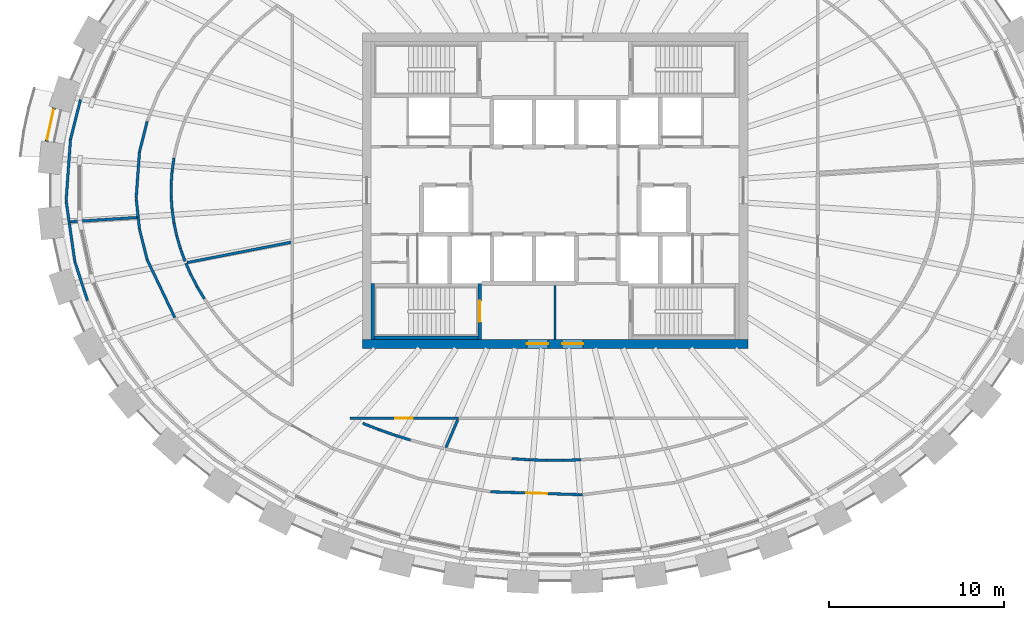
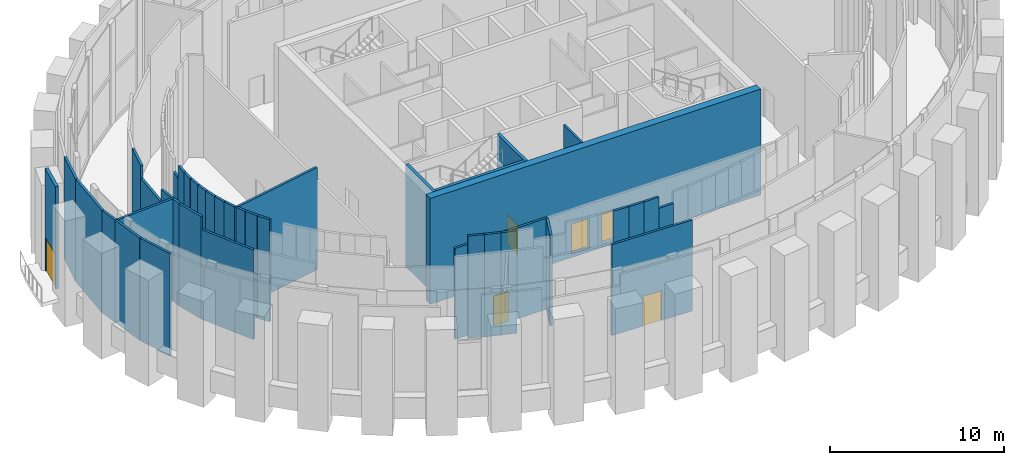
# One storey, part 8 of 16: 40 walls, 6 doors, 6 openings.
"""IFC4 building model written with IfcOpenShell, lengths in metres."""

import ifcopenshell
import ifcopenshell.guid

model = None  # the IFC model being written
_history = None  # IfcOwnerHistory: only IFC2X3 demands one
_inside = {}  # id of a spatial element -> (the spatial element, [elements in it])
_under = {}  # id of a project, library or spatial element -> (it, [spatial elements below it])
_declared = {}  # id of a project -> (the project, [libraries it declares])
_typed = {}  # id of a type object -> (the type object, [elements of that type])
_made_of = {}  # id of a material, layer set ... -> (it, [elements and type objects made of it])


def new_model(schema):
    """Start an empty IFC model of exactly this schema.

    Asked for "IFC4X3", IfcOpenShell would pick the latest addendum, in which some entities
    have other attributes; the version numbers below select the first issue.
    IFC2X3 requires an IfcOwnerHistory on every rooted entity: one is made here for all.
    """
    global model, _history
    if schema == "IFC4X3":
        model = ifcopenshell.file(schema_version=(4, 3, 0, 0))
    else:
        model = ifcopenshell.file(schema=schema)
    _inside.clear()
    _under.clear()
    _declared.clear()
    _typed.clear()
    _made_of.clear()
    _history = None
    if model.schema == "IFC2X3":
        org = make("IfcOrganization", Name="unknown")
        user = make(
            "IfcPersonAndOrganization",
            ThePerson=make("IfcPerson", FamilyName="unknown"),
            TheOrganization=org,
        )
        app = make(
            "IfcApplication",
            ApplicationDeveloper=org,
            Version="unknown",
            ApplicationFullName="unknown",
            ApplicationIdentifier="unknown",
        )
        _history = make(
            "IfcOwnerHistory",
            OwningUser=user,
            OwningApplication=app,
            ChangeAction="ADDED",
            CreationDate=0,
        )
    return model


def make(cls, **values):
    """One entity of the class cls with the attributes given. An attribute that is None is left unset."""
    return model.create_entity(
        cls, **{name: value for name, value in values.items() if value is not None}
    )


def rooted(cls, **values):
    """An entity with a GlobalId (a new one), such as an element, a storey or a relation."""
    return make(cls, GlobalId=ifcopenshell.guid.new(), OwnerHistory=_history, **values)


def si_unit(unit_type, name, prefix=None):
    """IfcSIUnit, for example si_unit("LENGTHUNIT", "METRE", prefix="MILLI")."""
    return make("IfcSIUnit", UnitType=unit_type, Prefix=prefix, Name=name)


def assignment(units):
    """IfcUnitAssignment: the units of a project."""
    return None if units is None else make("IfcUnitAssignment", Units=units)


def point(xyz):
    """IfcCartesianPoint."""
    return None if xyz is None else make("IfcCartesianPoint", Coordinates=xyz)


def direction(xyz):
    """IfcDirection."""
    return None if xyz is None else make("IfcDirection", DirectionRatios=xyz)


def frame(location, z_axis=None, x_axis=None):
    """IfcAxis2Placement3D, a coordinate frame: its origin and axes. An axis left out is left unset."""
    return make(
        "IfcAxis2Placement3D",
        Location=point(location),
        Axis=direction(z_axis),
        RefDirection=direction(x_axis),
    )


def frame_2d(location, x_axis=None):
    """IfcAxis2Placement2D, a coordinate frame in the plane: its origin and x axis."""
    return make(
        "IfcAxis2Placement2D", Location=point(location), RefDirection=direction(x_axis)
    )


def origin():
    """The frame at (0, 0, 0) with its axes left unset."""
    return frame((0.0, 0.0, 0.0))


def place(relative_to, where):
    """IfcLocalPlacement: puts the frame where relative to a parent placement (None: the world)."""
    return make(
        "IfcLocalPlacement", PlacementRelTo=relative_to, RelativePlacement=where
    )


def context(
    kind, dimensions, precision=None, world=None, true_north=None, identifier=None
):
    """IfcGeometricRepresentationContext, for example the 3D "Model" context."""
    return make(
        "IfcGeometricRepresentationContext",
        ContextIdentifier=identifier,
        ContextType=kind,
        CoordinateSpaceDimension=dimensions,
        Precision=precision,
        WorldCoordinateSystem=world,
        TrueNorth=true_north,
    )


def subcontext(parent, identifier, kind, view, scale=None):
    """IfcGeometricRepresentationSubContext, for example "Body" below "Model"."""
    return make(
        "IfcGeometricRepresentationSubContext",
        ContextIdentifier=identifier,
        ContextType=kind,
        ParentContext=parent,
        TargetScale=scale,
        TargetView=view,
    )


def project(units=None, contexts=None):
    """IfcProject with its units and contexts."""
    return rooted(
        "IfcProject",
        Name="project",
        RepresentationContexts=contexts,
        UnitsInContext=assignment(units),
    )


def spatial(cls, under=None, at=None, **own):
    """A site, building, storey or space (cls), placed at a placement, below another one or the project."""
    s = rooted(cls, ObjectPlacement=at, **own)
    if under is not None:
        _under.setdefault(under.id(), (under, []))[1].append(s)
    return s


def profile(cls, at=None, kind="AREA", **sizes):
    """A parametric profile (cls). Its sizes go by their IFC names, for example OverallWidth=200.0."""
    return make(cls, ProfileType=kind, Position=at, **sizes)


def rectangle(**sizes):
    """IfcRectangleProfileDef."""
    return profile("IfcRectangleProfileDef", **sizes)


def extrude(swept, where, along, depth):
    """IfcExtrudedAreaSolid: the profile swept, set in the frame where, extruded along a direction by depth."""
    return make(
        "IfcExtrudedAreaSolid",
        SweptArea=swept,
        Position=where,
        ExtrudedDirection=direction(along),
        Depth=depth,
    )


def shape(context_of_items, identifier, shape_type, items):
    """IfcShapeRepresentation: the items that make up one representation, for example the "Body"."""
    return make(
        "IfcShapeRepresentation",
        ContextOfItems=context_of_items,
        RepresentationIdentifier=identifier,
        RepresentationType=shape_type,
        Items=items,
    )


def source(mapping_origin, context_of_items, identifier, shape_type, items):
    """IfcRepresentationMap: a shape defined once, which mapped items show again and again."""
    return make(
        "IfcRepresentationMap",
        MappingOrigin=mapping_origin,
        MappedRepresentation=shape(context_of_items, identifier, shape_type, items),
    )


def transform(
    local_origin,
    x_axis=None,
    y_axis=None,
    z_axis=None,
    scale=None,
    scale2=None,
    scale3=None,
    uniform=True,
):
    """IfcCartesianTransformationOperator3D, or its non-uniform kind. x_axis, y_axis, z_axis: its Axis1, 2, 3."""
    if uniform:
        return make(
            "IfcCartesianTransformationOperator3D",
            Axis1=direction(x_axis),
            Axis2=direction(y_axis),
            LocalOrigin=point(local_origin),
            Scale=scale,
            Axis3=direction(z_axis),
        )
    return make(
        "IfcCartesianTransformationOperator3DnonUniform",
        Axis1=direction(x_axis),
        Axis2=direction(y_axis),
        LocalOrigin=point(local_origin),
        Scale=scale,
        Axis3=direction(z_axis),
        Scale2=scale2,
        Scale3=scale3,
    )


def mapped(mapping_source, mapping_target):
    """IfcMappedItem: shows the shape of a source again, moved by a transform."""
    return make(
        "IfcMappedItem", MappingSource=mapping_source, MappingTarget=mapping_target
    )


def material(Name=None, Category=None):
    """IfcMaterial."""
    return make("IfcMaterial", Name=Name, Category=Category)


def layer(
    of_material, thickness, ventilated=None, Name=None, Category=None, Priority=None
):
    """IfcMaterialLayer: one layer of a wall or slab, of a material (None: an air gap)."""
    return make(
        "IfcMaterialLayer",
        Material=of_material,
        LayerThickness=thickness,
        IsVentilated=ventilated,
        Name=Name,
        Category=Category,
        Priority=Priority,
    )


def layer_set(layers, Name=None):
    """IfcMaterialLayerSet."""
    return make("IfcMaterialLayerSet", MaterialLayers=layers, LayerSetName=Name)


def made_of(thing, what):
    """Note that an element or type object is made of a material, layer set ...; save() writes the relation."""
    if what is not None:
        _made_of.setdefault(what.id(), (what, []))[1].append(thing)
    return thing


def type_object(cls, material=None, **own):
    """A type object (cls), such as IfcWallType, which elements share."""
    return made_of(rooted(cls, **own), material)


def element(
    cls,
    number,
    at=None,
    inside=None,
    cuts=None,
    type_object=None,
    material=None,
    context=None,
    identifier="Body",
    shape_type=None,
    held_by="IfcProductDefinitionShape",
    body=None,
    shapes=None,
    **own,
):
    """One element of the class cls, such as IfcWall. Its Tag is "e" and its number.

    at: its placement. inside: the storey or other place that contains it. cuts: it is an
    opening in that element (IfcRelVoidsElement). A single representation is given by context,
    identifier, shape_type and body (its items); several are given by shapes. held_by: the class
    of the entity that holds the representations. save() writes the other relations.
    """
    e = rooted(cls, Tag="e%d" % number, ObjectPlacement=at, **own)
    if body is not None:
        shapes = [shape(context, identifier, shape_type, body)]
    if shapes is not None:
        e.Representation = make(held_by, Representations=shapes)
    if inside is not None:
        _inside.setdefault(inside.id(), (inside, []))[1].append(e)
    if cuts is not None:
        rooted(
            "IfcRelVoidsElement", RelatingBuildingElement=cuts, RelatedOpeningElement=e
        )
    if type_object is not None:
        _typed.setdefault(type_object.id(), (type_object, []))[1].append(e)
    return made_of(e, material)


def fill(opening, filler):
    """IfcRelFillsElement: the door or window that sits in an opening."""
    return rooted(
        "IfcRelFillsElement",
        RelatingOpeningElement=opening,
        RelatedBuildingElement=filler,
    )


def aggregate(whole, parts):
    """IfcRelAggregates: a whole, such as a stair, and the parts it consists of."""
    return rooted("IfcRelAggregates", RelatingObject=whole, RelatedObjects=parts)


def save(model, path):
    """Write the relations noted so far, then the file.

    IfcRelAggregates (storeys below a building ...), IfcRelContainedInSpatialStructure (elements
    in a storey), IfcRelDefinesByType, IfcRelAssociatesMaterial and IfcRelDeclares: one each for
    every whole, place, type object, material and project.
    """
    for whole, parts in _under.values():
        aggregate(whole, parts)
    for where, things in _inside.values():
        rooted(
            "IfcRelContainedInSpatialStructure",
            RelatedElements=things,
            RelatingStructure=where,
        )
    for kind, things in _typed.values():
        rooted("IfcRelDefinesByType", RelatedObjects=things, RelatingType=kind)
    for what, things in _made_of.values():
        rooted("IfcRelAssociatesMaterial", RelatedObjects=things, RelatingMaterial=what)
    for by, libraries in _declared.values():
        rooted("IfcRelDeclares", RelatingContext=by, RelatedDefinitions=libraries)
    model.write(path)


model = new_model("IFC4")

# Units and contexts
model_context = context("Model", 3, precision=1e-05, world=origin(), true_north=direction((0.0, 1.0)))
body_context = subcontext(model_context, "Body", "Model", "MODEL_VIEW")
ifc_project = project(units=[si_unit("LENGTHUNIT", "METRE"), si_unit("AREAUNIT", "SQUARE_METRE"), si_unit("VOLUMEUNIT", "CUBIC_METRE"), si_unit("PLANEANGLEUNIT", "RADIAN"), si_unit("MASSUNIT", "GRAM", prefix="KILO")], contexts=[model_context])

# Site, building, storey
site_placement = place(None, origin())
site = spatial("IfcSite", under=ifc_project, at=site_placement, CompositionType="ELEMENT")
building_placement = place(site_placement, origin())
building = spatial("IfcBuilding", under=site, at=building_placement, Name="Embergate Tower", CompositionType="ELEMENT")
storey_placement = place(building_placement, frame((0.0, 0.0, 332.5)))
storey = spatial("IfcBuildingStorey", under=building, at=storey_placement, Name="L78", CompositionType="ELEMENT", Elevation=332.5)

# Wall, openings, doors
ifc_material_1 = material(Name="Concrete C50", Category="concrete")
ifc_layer_1 = layer(ifc_material_1, 0.5)
ifc_layer_set_1 = layer_set([ifc_layer_1], Name="Concrete C50")
wall_type_1 = type_object("IfcWallType", Name="Core outer wall C50 500", PredefinedType="SHEAR", material=ifc_layer_set_1)
shared_shape_1 = source(origin(), body_context, "Body", "SweptSolid", [
    extrude(rectangle(XDim=22.0, YDim=0.5, at=frame_2d((11.0, 0.0))), origin(), (0.0, 0.0, 1.0), 7.449951171875),
])
wall_1_placement = place(storey_placement, frame((-11.0, -8.75, -0.25), z_axis=(0.0, 0.0, 1.0), x_axis=(1.0, 0.0, 0.0)))
wall_1 = element("IfcWall", 1, at=wall_1_placement, inside=storey, type_object=wall_type_1, Name="CW-L78-S", PredefinedType="SHEAR", context=body_context, shape_type="MappedRepresentation", body=[
    mapped(shared_shape_1, transform((0.0, 0.0, 0.0))),
])
shared_shape_2 = source(origin(), body_context, "Body", "SweptSolid", [
    extrude(rectangle(XDim=1.199951171875, YDim=2.10009765625, at=frame_2d((0.60009765625, 1.050048828125))), frame((0.0, 0.260009765625, 0.0), z_axis=(0.0, -1.0, 0.0), x_axis=(1.0, 0.0, 0.0)), (0.0, 0.0, 1.0), 0.52001953125),
])
opening_1_placement = place(wall_1_placement, frame((9.39990234375, 0.0, 0.25)))
opening_1 = element("IfcOpeningElement", 2, at=opening_1_placement, cuts=wall_1, Name="Opening IF-1", PredefinedType="OPENING", context=body_context, shape_type="MappedRepresentation", body=[
    mapped(shared_shape_2, transform((0.0, 0.0, 0.0))),
])
opening_2_placement = place(wall_1_placement, frame((11.39990234375, 0.0, 0.25)))
opening_2 = element("IfcOpeningElement", 3, at=opening_2_placement, cuts=wall_1, Name="Opening IF-1", PredefinedType="OPENING", context=body_context, shape_type="MappedRepresentation", body=[
    mapped(shared_shape_2, transform((0.0, 0.0, 0.0))),
])
ifc_material_2 = material(Name="Escape fire door 1200")
door_type_1 = type_object("IfcDoorType", Name="Escape fire door 1200", OperationType="SINGLE_SWING_LEFT", PredefinedType="DOOR", material=ifc_material_2)
shared_shape_3 = source(origin(), body_context, "Body", "SweptSolid", [
    extrude(rectangle(XDim=1.199951171875, YDim=2.10009765625, at=frame_2d((0.60009765625, 1.050048828125))), frame((0.0, 0.02490234375, 0.0), z_axis=(0.0, -1.0, 0.0), x_axis=(1.0, 0.0, 0.0)), (0.0, 0.0, 1.0), 0.050048828125),
])
door_1_placement = place(opening_1_placement, origin())
door_1 = element("IfcDoor", 4, at=door_1_placement, inside=storey, type_object=door_type_1, Name="IF-1 door", OperationType="SINGLE_SWING_RIGHT", OverallHeight=2.10009765625, OverallWidth=1.199951171875, PredefinedType="DOOR", context=body_context, shape_type="MappedRepresentation", body=[
    mapped(shared_shape_3, transform((0.0, 0.0, 0.0))),
])
fill(opening_1, door_1)
door_2_placement = place(opening_2_placement, origin())
door_2 = element("IfcDoor", 5, at=door_2_placement, inside=storey, type_object=door_type_1, Name="IF-1 door", OperationType="SINGLE_SWING_LEFT", OverallHeight=2.10009765625, OverallWidth=1.199951171875, PredefinedType="DOOR", context=body_context, shape_type="MappedRepresentation", body=[
    mapped(shared_shape_3, transform((0.0, 0.0, 0.0))),
])
fill(opening_2, door_2)

# Wall
ifc_layer_2 = layer(ifc_material_1, 0.199951171875)
ifc_layer_set_2 = layer_set([ifc_layer_2], Name="Concrete C50")
wall_type_2 = type_object("IfcWallType", Name="Stair enclosure wall reinforced concrete 250", PredefinedType="SHEAR", material=ifc_layer_set_2)
shared_shape_4 = source(origin(), body_context, "Body", "SweptSolid", [
    extrude(rectangle(XDim=6.298095703125, YDim=0.199951171875, at=frame_2d((3.14892578125, 0.0))), origin(), (0.0, 0.0, 1.0), 7.199951171875),
])
wall_2_placement = place(storey_placement, frame((-10.5, -8.39990234375, 0.0), z_axis=(0.0, 0.0, 1.0), x_axis=(1.0, 0.0, 0.0)))
element("IfcWall", 6, at=wall_2_placement, inside=storey, type_object=wall_type_2, Name="SE-1 wall", PredefinedType="SHEAR", context=body_context, shape_type="MappedRepresentation", body=[
    mapped(shared_shape_4, transform((0.0, 0.0, 0.0))),
])

# Wall, opening, door
shared_shape_5 = source(origin(), body_context, "Body", "SweptSolid", [
    extrude(rectangle(XDim=3.199951171875, YDim=0.199951171875, at=frame_2d((1.60009765625, 0.0))), origin(), (0.0, 0.0, 1.0), 7.199951171875),
])
wall_3_placement = place(storey_placement, frame((-4.300048828125, -8.5, 0.0), z_axis=(0.0, 0.0, 1.0), x_axis=(0.0, 1.0, 0.0)))
wall_3 = element("IfcWall", 7, at=wall_3_placement, inside=storey, type_object=wall_type_2, Name="SE-1 wall", PredefinedType="SHEAR", context=body_context, shape_type="MappedRepresentation", body=[
    mapped(shared_shape_5, transform((0.0, 0.0, 0.0))),
])
shared_shape_6 = source(origin(), body_context, "Body", "SweptSolid", [
    extrude(rectangle(XDim=1.199951171875, YDim=2.10009765625, at=frame_2d((0.60009765625, 1.050048828125))), frame((0.0, 0.10986328125, 0.0), z_axis=(0.0, -1.0, 0.0), x_axis=(1.0, 0.0, 0.0)), (0.0, 0.0, 1.0), 0.219970703125),
])
opening_3_placement = place(wall_3_placement, frame((1.0, 0.0, 0.0)))
opening_3 = element("IfcOpeningElement", 8, at=opening_3_placement, cuts=wall_3, Name="Opening IF-2", PredefinedType="OPENING", context=body_context, shape_type="MappedRepresentation", body=[
    mapped(shared_shape_6, transform((0.0, 0.0, 0.0))),
])
ifc_material_3 = material(Name="Stair enclosure door 1200")
door_type_2 = type_object("IfcDoorType", Name="Stair enclosure door 1200", OperationType="SINGLE_SWING_LEFT", PredefinedType="DOOR", material=ifc_material_3)
door_3_placement = place(opening_3_placement, origin())
door_3 = element("IfcDoor", 9, at=door_3_placement, inside=storey, type_object=door_type_2, Name="IF-2 door", OperationType="SINGLE_SWING_RIGHT", OverallHeight=2.10009765625, OverallWidth=1.199951171875, PredefinedType="DOOR", context=body_context, shape_type="MappedRepresentation", body=[
    mapped(shared_shape_3, transform((0.0, 0.0, 0.0))),
])
fill(opening_3, door_3)

# Walls
ifc_material_4 = material(Name="Core partition blockwork 120")
ifc_layer_3 = layer(ifc_material_4, 0.1201171875)
ifc_layer_set_3 = layer_set([ifc_layer_3], Name="Core partition blockwork 120")
wall_type_3 = type_object("IfcWallType", Name="Core partition blockwork 120", PredefinedType="PARTITIONING", material=ifc_layer_set_3)
shared_shape_7 = source(origin(), body_context, "Body", "SweptSolid", [
    extrude(rectangle(XDim=3.074951171875, YDim=0.1201171875, at=frame_2d((1.53759765625, 0.0))), origin(), (0.0, 0.0, 1.0), 6.39990234375),
])
wall_4_placement = place(storey_placement, frame((0.0, -8.5, 0.0), z_axis=(0.0, 0.0, 1.0), x_axis=(0.0, 1.0, 0.0)))
element("IfcWall", 10, at=wall_4_placement, inside=storey, type_object=wall_type_3, Name="IP-3 wall", PredefinedType="PARTITIONING", context=body_context, shape_type="MappedRepresentation", body=[
    mapped(shared_shape_7, transform((0.0, 0.0, 0.0))),
])
shared_shape_8 = source(origin(), body_context, "Body", "SweptSolid", [
    extrude(rectangle(XDim=3.197998046875, YDim=0.199951171875, at=frame_2d((1.59912109375, 0.0))), origin(), (0.0, 0.0, 1.0), 7.199951171875),
])
wall_5_placement = place(storey_placement, frame((-10.39990234375, -5.302001953125, 0.0), z_axis=(0.0, 0.0, 1.0), x_axis=(0.0, -1.0, 0.0)))
element("IfcWall", 11, at=wall_5_placement, inside=storey, type_object=wall_type_2, Name="SE-1 wall", PredefinedType="SHEAR", context=body_context, shape_type="MappedRepresentation", body=[
    mapped(shared_shape_8, transform((0.0, 0.0, 0.0))),
])
ifc_material_5 = material(Name="Plasterboard on steel stud", Category="steel")
ifc_layer_4 = layer(ifc_material_5, 0.14990234375)
ifc_layer_set_4 = layer_set([ifc_layer_4], Name="Plasterboard on steel stud")
wall_type_4 = type_object("IfcWallType", Name="Partition wall 150 board", PredefinedType="PARTITIONING", material=ifc_layer_set_4)
shared_shape_9 = source(origin(), body_context, "Body", "SweptSolid", [
    extrude(rectangle(XDim=3.500732421875, YDim=0.14990234375, at=frame_2d((1.75048828125, 0.0))), origin(), (0.0, 0.0, 1.0), 7.199951171875),
])
wall_6_placement = place(storey_placement, frame((-27.89990234375, -0.5849609375, 0.0), z_axis=(0.0, 0.0, 1.0), x_axis=(0.07113306104, 0.997466835352, 0.0)))
element("IfcWall", 12, at=wall_6_placement, inside=storey, type_object=wall_type_4, Name="Partition 001", PredefinedType="PARTITIONING", context=body_context, shape_type="MappedRepresentation", body=[
    mapped(shared_shape_9, transform((0.0, 0.0, 0.0))),
])
shared_shape_10 = source(origin(), body_context, "Body", "SweptSolid", [
    extrude(rectangle(XDim=1.21533203125, YDim=0.14990234375, at=frame_2d((0.607666015625, 0.0))), origin(), (0.0, 0.0, 1.0), 7.199951171875),
])
wall_7_placement = place(storey_placement, frame((-27.72802734375, -1.7880859375, 0.0), z_axis=(0.0, 0.0, 1.0), x_axis=(-0.141421356237, 0.989949493661, 0.0)))
element("IfcWall", 13, at=wall_7_placement, inside=storey, type_object=wall_type_4, Name="Partition 002", PredefinedType="PARTITIONING", context=body_context, shape_type="MappedRepresentation", body=[
    mapped(shared_shape_10, transform((0.0, 0.0, 0.0))),
])
shared_shape_11 = source(origin(), body_context, "Body", "SweptSolid", [
    extrude(rectangle(XDim=2.34912109375, YDim=0.14990234375, at=frame_2d((1.174560546875, 0.0))), origin(), (0.0, 0.0, 1.0), 7.199951171875),
])
wall_8_placement = place(storey_placement, frame((-27.65087890625, 2.906982421875, 0.0), z_axis=(0.0, 0.0, 1.0), x_axis=(0.243929291286, 0.969793019594, 0.0)))
element("IfcWall", 14, at=wall_8_placement, inside=storey, type_object=wall_type_4, Name="Partition 003", PredefinedType="PARTITIONING", context=body_context, shape_type="MappedRepresentation", body=[
    mapped(shared_shape_11, transform((0.0, 0.0, 0.0))),
])
shared_shape_12 = source(origin(), body_context, "Body", "SweptSolid", [
    extrude(rectangle(XDim=2.286865234375, YDim=0.14990234375, at=frame_2d((1.1435546875, 0.0))), origin(), (0.0, 0.0, 1.0), 7.199951171875),
])
wall_9_placement = place(storey_placement, frame((-27.405029296875, -4.052001953125, 0.0), z_axis=(0.0, 0.0, 1.0), x_axis=(-0.141241998997, 0.989975099545, 0.0)))
element("IfcWall", 15, at=wall_9_placement, inside=storey, type_object=wall_type_4, Name="Partition 004", PredefinedType="PARTITIONING", context=body_context, shape_type="MappedRepresentation", body=[
    mapped(shared_shape_12, transform((0.0, 0.0, 0.0))),
])
shared_shape_13 = source(origin(), body_context, "Body", "SweptSolid", [
    extrude(rectangle(XDim=2.33984375, YDim=0.14990234375, at=frame_2d((1.169921875, 0.0))), origin(), (0.0, 0.0, 1.0), 7.199951171875),
])
wall_10_placement = place(storey_placement, frame((-26.680908203125, -6.277099609375, 0.0), z_axis=(0.0, 0.0, 1.0), x_axis=(-0.309458801417, 0.950912851015, 0.0)))
element("IfcWall", 16, at=wall_10_placement, inside=storey, type_object=wall_type_4, Name="Partition 006", PredefinedType="PARTITIONING", context=body_context, shape_type="MappedRepresentation", body=[
    mapped(shared_shape_13, transform((0.0, 0.0, 0.0))),
])
shared_shape_14 = source(origin(), body_context, "Body", "SweptSolid", [
    extrude(rectangle(XDim=2.650390625, YDim=0.14990234375, at=frame_2d((1.3251953125, 0.0))), origin(), (0.0, 0.0, 1.0), 6.300048828125),
])
wall_11_placement = place(storey_placement, frame((-23.902099609375, -0.44189453125, 0.0), z_axis=(0.0, 0.0, 1.0), x_axis=(0.070926290583, 0.99748155938, 0.0)))
element("IfcWall", 17, at=wall_11_placement, inside=storey, type_object=wall_type_4, Name="Partition 011", PredefinedType="PARTITIONING", context=body_context, shape_type="MappedRepresentation", body=[
    mapped(shared_shape_14, transform((0.0, 0.0, 0.0))),
])
shared_shape_15 = source(origin(), body_context, "Body", "SweptSolid", [
    extrude(rectangle(XDim=3.80078125, YDim=0.14990234375, at=frame_2d((1.900390625, 0.0))), origin(), (0.0, 0.0, 1.0), 7.199951171875),
])
wall_12_placement = place(storey_placement, frame((-23.860107421875, -1.5390625, 0.0), z_axis=(0.0, 0.0, 1.0), x_axis=(-0.997938998458, -0.064169738637, 0.0)))
element("IfcWall", 18, at=wall_12_placement, inside=storey, type_object=wall_type_4, Name="Partition 012", PredefinedType="PARTITIONING", context=body_context, shape_type="MappedRepresentation", body=[
    mapped(shared_shape_15, transform((0.0, 0.0, 0.0))),
])
shared_shape_16 = source(origin(), body_context, "Body", "SweptSolid", [
    extrude(rectangle(XDim=1.098388671875, YDim=0.14990234375, at=frame_2d((0.54931640625, 0.0))), origin(), (0.0, 0.0, 1.0), 7.199951171875),
])
wall_13_placement = place(storey_placement, frame((-23.784912109375, -1.533935546875, 0.0), z_axis=(0.0, 0.0, 1.0), x_axis=(-0.106697945605, 0.994291480605, 0.0)))
element("IfcWall", 19, at=wall_13_placement, inside=storey, type_object=wall_type_4, Name="Partition 013", PredefinedType="PARTITIONING", context=body_context, shape_type="MappedRepresentation", body=[
    mapped(shared_shape_16, transform((0.0, 0.0, 0.0))),
])
shared_shape_17 = source(origin(), body_context, "Body", "SweptSolid", [
    extrude(rectangle(XDim=0.671630859375, YDim=0.14990234375, at=frame_2d((0.3359375, 0.0))), origin(), (0.0, 0.0, 1.0), 7.199951171875),
])
wall_14_placement = place(storey_placement, frame((-23.714111328125, -2.201904296875, 0.0), z_axis=(0.0, 0.0, 1.0), x_axis=(-0.105403713051, 0.994429513477, 0.0)))
element("IfcWall", 20, at=wall_14_placement, inside=storey, type_object=wall_type_4, Name="Partition 014", PredefinedType="PARTITIONING", context=body_context, shape_type="MappedRepresentation", body=[
    mapped(shared_shape_17, transform((0.0, 0.0, 0.0))),
])
shared_shape_18 = source(origin(), body_context, "Body", "SweptSolid", [
    extrude(rectangle(XDim=1.798583984375, YDim=0.14990234375, at=frame_2d((0.8994140625, 0.0))), origin(), (0.0, 0.0, 1.0), 7.199951171875),
])
for number, where, z_axis, x_axis, name in (
    (21, (-23.714111328125, 2.201904296875, 0.0), (0.0, 0.0, 1.0), (0.244196087284, 0.969725874129, 0.0), "Partition 015"),
    (22, (-23.27490234375, -3.946044921875, 0.0), (0.0, 0.0, 1.0), (-0.244196087284, 0.969725874129, 0.0), "Partition 017"),
):
    element("IfcWall", number, at=place(storey_placement, frame(where, z_axis=z_axis, x_axis=x_axis)), inside=storey, type_object=wall_type_4, Name=name, PredefinedType="PARTITIONING", context=body_context, shape_type="MappedRepresentation", body=[
        mapped(shared_shape_18, transform((0.0, 0.0, 0.0))),
    ])
shared_shape_19 = source(origin(), body_context, "Body", "SweptSolid", [
    extrude(rectangle(XDim=0.743896484375, YDim=0.14990234375, at=frame_2d((0.3720703125, 0.0))), origin(), (0.0, 0.0, 1.0), 7.199951171875),
])
for number, where, z_axis, x_axis, name in (
    (23, (-21.903076171875, -0.37109375, 0.0), (0.0, 0.0, 1.0), (0.071223724694, -0.997460365649, 0.0), "Partition 021"),
    (24, (-21.85009765625, 1.113037109375, 0.0), (0.0, 0.0, 1.0), (-0.071223724694, -0.997460365649, 0.0), "Partition 024"),
):
    element("IfcWall", number, at=place(storey_placement, frame(where, z_axis=z_axis, x_axis=x_axis)), inside=storey, type_object=wall_type_4, Name=name, PredefinedType="PARTITIONING", context=body_context, shape_type="MappedRepresentation", body=[
        mapped(shared_shape_19, transform((0.0, 0.0, 0.0))),
    ])
shared_shape_20 = source(origin(), body_context, "Body", "SweptSolid", [
    extrude(rectangle(XDim=0.7421875, YDim=0.14990234375, at=frame_2d((0.37109375, 0.0))), origin(), (0.0, 0.0, 1.0), 7.199951171875),
])
wall_15_placement = place(storey_placement, frame((-21.903076171875, 0.37109375, 0.0), z_axis=(0.0, 0.0, 1.0), x_axis=(0.0, -1.0, 0.0)))
element("IfcWall", 25, at=wall_15_placement, inside=storey, type_object=wall_type_4, Name="Partition 022", PredefinedType="PARTITIONING", context=body_context, shape_type="MappedRepresentation", body=[
    mapped(shared_shape_20, transform((0.0, 0.0, 0.0))),
])
shared_shape_21 = source(origin(), body_context, "Body", "SweptSolid", [
    extrude(rectangle(XDim=0.744384765625, YDim=0.14990234375, at=frame_2d((0.3720703125, 0.0))), origin(), (0.0, 0.0, 1.0), 7.199951171875),
])
wall_16_placement = place(storey_placement, frame((-21.85009765625, -1.113037109375, 0.0), z_axis=(0.0, 0.0, 1.0), x_axis=(0.141008157226, -0.990008434103, 0.0)))
element("IfcWall", 26, at=wall_16_placement, inside=storey, type_object=wall_type_4, Name="Partition 023", PredefinedType="PARTITIONING", context=body_context, shape_type="MappedRepresentation", body=[
    mapped(shared_shape_21, transform((0.0, 0.0, 0.0))),
])
shared_shape_22 = source(origin(), body_context, "Body", "SweptSolid", [
    extrude(rectangle(XDim=0.75390625, YDim=0.14990234375, at=frame_2d((0.376953125, 0.0))), origin(), (0.0, 0.0, 1.0), 7.199951171875),
])
wall_17_placement = place(storey_placement, frame((-21.7451171875, -1.85009765625, 0.0), z_axis=(0.0, 0.0, 1.0), x_axis=(0.211165541414, -0.977450312865, 0.0)))
element("IfcWall", 27, at=wall_17_placement, inside=storey, type_object=wall_type_4, Name="Partition 025", PredefinedType="PARTITIONING", context=body_context, shape_type="MappedRepresentation", body=[
    mapped(shared_shape_22, transform((0.0, 0.0, 0.0))),
])
shared_shape_23 = source(origin(), body_context, "Body", "SweptSolid", [
    extrude(rectangle(XDim=0.744384765625, YDim=0.14990234375, at=frame_2d((0.3720703125, 0.0))), origin(), (0.0, 0.0, 1.0), 6.300048828125),
])
wall_18_placement = place(storey_placement, frame((-21.7451171875, 1.85009765625, 0.0), z_axis=(0.0, 0.0, 1.0), x_axis=(-0.141008157226, -0.990008434103, 0.0)))
element("IfcWall", 28, at=wall_18_placement, inside=storey, type_object=wall_type_4, Name="Partition 026", PredefinedType="PARTITIONING", context=body_context, shape_type="MappedRepresentation", body=[
    mapped(shared_shape_23, transform((0.0, 0.0, 0.0))),
])
shared_shape_24 = source(origin(), body_context, "Body", "SweptSolid", [
    extrude(rectangle(XDim=3.65966796875, YDim=0.14990234375, at=frame_2d((1.829833984375, 0.0))), origin(), (0.0, 0.0, 1.0), 6.300048828125),
])
wall_19_placement = place(storey_placement, frame((-21.698974609375, -7.2490234375, 0.0), z_axis=(0.0, 0.0, 1.0), x_axis=(-0.430619679621, 0.902533484987, 0.0)))
element("IfcWall", 29, at=wall_19_placement, inside=storey, type_object=wall_type_4, Name="Partition 027", PredefinedType="PARTITIONING", context=body_context, shape_type="MappedRepresentation", body=[
    mapped(shared_shape_24, transform((0.0, 0.0, 0.0))),
])
shared_shape_25 = source(origin(), body_context, "Body", "SweptSolid", [
    extrude(rectangle(XDim=0.76904296875, YDim=0.14990234375, at=frame_2d((0.384521484375, 0.0))), origin(), (0.0, 0.0, 1.0), 7.199951171875),
])
wall_20_placement = place(storey_placement, frame((-21.5859375, -2.5869140625, 0.0), z_axis=(0.0, 0.0, 1.0), x_axis=(0.276816846253, -0.960922699092, 0.0)))
element("IfcWall", 30, at=wall_20_placement, inside=storey, type_object=wall_type_4, Name="Partition 028", PredefinedType="PARTITIONING", context=body_context, shape_type="MappedRepresentation", body=[
    mapped(shared_shape_25, transform((0.0, 0.0, 0.0))),
])
shared_shape_26 = source(origin(), body_context, "Body", "SweptSolid", [
    extrude(rectangle(XDim=0.76611328125, YDim=0.14990234375, at=frame_2d((0.383056640625, 0.0))), origin(), (0.0, 0.0, 1.0), 7.199951171875),
])
wall_21_placement = place(storey_placement, frame((-21.373046875, -3.325927734375, 0.0), z_axis=(0.0, 0.0, 1.0), x_axis=(0.341922157745, -0.939728278835, 0.0)))
element("IfcWall", 31, at=wall_21_placement, inside=storey, type_object=wall_type_4, Name="Partition 030", PredefinedType="PARTITIONING", context=body_context, shape_type="MappedRepresentation", body=[
    mapped(shared_shape_26, transform((0.0, 0.0, 0.0))),
])
shared_shape_27 = source(origin(), body_context, "Body", "SweptSolid", [
    extrude(rectangle(XDim=0.656005859375, YDim=0.14990234375, at=frame_2d((0.328125, 0.0))), origin(), (0.0, 0.0, 1.0), 7.199951171875),
])
wall_22_placement = place(storey_placement, frame((-21.06689453125, -4.14697265625, 0.0), z_axis=(0.0, 0.0, 1.0), x_axis=(0.400779790919, -0.916174415268, 0.0)))
element("IfcWall", 32, at=wall_22_placement, inside=storey, type_object=wall_type_4, Name="Partition 033", PredefinedType="PARTITIONING", context=body_context, shape_type="MappedRepresentation", body=[
    mapped(shared_shape_27, transform((0.0, 0.0, 0.0))),
])
shared_shape_28 = source(origin(), body_context, "Body", "SweptSolid", [
    extrude(rectangle(XDim=0.807861328125, YDim=0.14990234375, at=frame_2d((0.40380859375, 0.0))), origin(), (0.0, 0.0, 1.0), 7.199951171875),
])
wall_23_placement = place(storey_placement, frame((-20.7958984375, -4.76611328125, 0.0), z_axis=(0.0, 0.0, 1.0), x_axis=(0.459020051876, -0.888425906857, 0.0)))
element("IfcWall", 33, at=wall_23_placement, inside=storey, type_object=wall_type_4, Name="Partition 034", PredefinedType="PARTITIONING", context=body_context, shape_type="MappedRepresentation", body=[
    mapped(shared_shape_28, transform((0.0, 0.0, 0.0))),
])
shared_shape_29 = source(origin(), body_context, "Body", "SweptSolid", [
    extrude(rectangle(XDim=0.802978515625, YDim=0.14990234375, at=frame_2d((0.4013671875, 0.0))), origin(), (0.0, 0.0, 1.0), 7.199951171875),
])
wall_24_placement = place(storey_placement, frame((-20.425048828125, -5.48388671875, 0.0), z_axis=(0.0, 0.0, 1.0), x_axis=(0.513198578999, -0.858269898408, 0.0)))
element("IfcWall", 34, at=wall_24_placement, inside=storey, type_object=wall_type_4, Name="Partition 037", PredefinedType="PARTITIONING", context=body_context, shape_type="MappedRepresentation", body=[
    mapped(shared_shape_29, transform((0.0, 0.0, 0.0))),
])
shared_shape_30 = source(origin(), body_context, "Body", "SweptSolid", [
    extrude(rectangle(XDim=6.039794921875, YDim=0.14990234375, at=frame_2d((3.02001953125, 0.0))), origin(), (0.0, 0.0, 1.0), 7.199951171875),
])
wall_25_placement = place(storey_placement, frame((-15.073974609375, -2.951904296875, 0.0), z_axis=(0.0, 0.0, 1.0), x_axis=(-0.98131524619, -0.19240682835, 0.0)))
element("IfcWall", 35, at=wall_25_placement, inside=storey, type_object=wall_type_4, Name="Partition 063", PredefinedType="PARTITIONING", context=body_context, shape_type="MappedRepresentation", body=[
    mapped(shared_shape_30, transform((0.0, 0.0, 0.0))),
])
shared_shape_31 = source(origin(), body_context, "Body", "SweptSolid", [
    extrude(rectangle(XDim=0.96728515625, YDim=0.14990234375, at=frame_2d((0.483642578125, 0.0))), origin(), (0.0, 0.0, 1.0), 7.199951171875),
])
wall_26_placement = place(storey_placement, frame((-10.97705078125, -13.280029296875, 0.0), z_axis=(0.0, 0.0, 1.0), x_axis=(0.930619512582, -0.365988145713, 0.0)))
element("IfcWall", 36, at=wall_26_placement, inside=storey, type_object=wall_type_4, Name="Partition 074", PredefinedType="PARTITIONING", context=body_context, shape_type="MappedRepresentation", body=[
    mapped(shared_shape_31, transform((0.0, 0.0, 0.0))),
])
shared_shape_32 = source(origin(), body_context, "Body", "SweptSolid", [
    extrude(rectangle(XDim=0.957763671875, YDim=0.14990234375, at=frame_2d((0.47900390625, 0.0))), origin(), (0.0, 0.0, 1.0), 7.199951171875),
])
wall_27_placement = place(storey_placement, frame((-10.076904296875, -13.634033203125, 0.0), z_axis=(0.0, 0.0, 1.0), x_axis=(0.943675403616, -0.330872683386, 0.0)))
element("IfcWall", 37, at=wall_27_placement, inside=storey, type_object=wall_type_4, Name="Partition 076", PredefinedType="PARTITIONING", context=body_context, shape_type="MappedRepresentation", body=[
    mapped(shared_shape_32, transform((0.0, 0.0, 0.0))),
])
shared_shape_33 = source(origin(), body_context, "Body", "SweptSolid", [
    extrude(rectangle(XDim=0.96875, YDim=0.14990234375, at=frame_2d((0.484375, 0.0))), origin(), (0.0, 0.0, 1.0), 7.199951171875),
])
wall_28_placement = place(storey_placement, frame((-9.173095703125, -13.950927734375, 0.0), z_axis=(0.0, 0.0, 1.0), x_axis=(0.954770964076, -0.297342237427, 0.0)))
element("IfcWall", 38, at=wall_28_placement, inside=storey, type_object=wall_type_4, Name="Partition 081", PredefinedType="PARTITIONING", context=body_context, shape_type="MappedRepresentation", body=[
    mapped(shared_shape_33, transform((0.0, 0.0, 0.0))),
])

# Wall, opening, door
shared_shape_34 = source(origin(), body_context, "Body", "SweptSolid", [
    extrude(rectangle(XDim=6.171875, YDim=0.14990234375, at=frame_2d((3.0859375, 0.0))), origin(), (0.0, 0.0, 1.0), 6.39990234375),
])
wall_29_placement = place(storey_placement, frame((-5.52001953125, -13.0, 0.0), z_axis=(0.0, 0.0, 1.0), x_axis=(-1.0, 0.0, 0.0)))
wall_29 = element("IfcWall", 39, at=wall_29_placement, inside=storey, type_object=wall_type_4, Name="Partition 093", PredefinedType="PARTITIONING", context=body_context, shape_type="MappedRepresentation", body=[
    mapped(shared_shape_34, transform((0.0, 0.0, 0.0))),
])
shared_shape_35 = source(origin(), body_context, "Body", "SweptSolid", [
    extrude(rectangle(XDim=1.0, YDim=2.10009765625, at=frame_2d((0.5, 1.050048828125))), frame((0.0, 0.0849609375, 0.0), z_axis=(0.0, -1.0, 0.0), x_axis=(1.0, 0.0, 0.0)), (0.0, 0.0, 1.0), 0.169921875),
])
opening_4_placement = place(wall_29_placement, frame((2.5859375, 0.0, 0.0)))
opening_4 = element("IfcOpeningElement", 40, at=opening_4_placement, cuts=wall_29, Name="Opening DS-269", PredefinedType="OPENING", context=body_context, shape_type="MappedRepresentation", body=[
    mapped(shared_shape_35, transform((0.0, 0.0, 0.0))),
])
ifc_material_6 = material(Name="Timber door leaf, steel frame", Category="steel")
door_type_3 = type_object("IfcDoorType", Name="Single door 1000x2100", OperationType="SINGLE_SWING_LEFT", PredefinedType="DOOR", material=ifc_material_6)
shared_shape_36 = source(origin(), body_context, "Body", "SweptSolid", [
    extrude(rectangle(XDim=1.0, YDim=2.10009765625, at=frame_2d((0.5, 1.050048828125))), frame((0.0, 0.02490234375, 0.0), z_axis=(0.0, -1.0, 0.0), x_axis=(1.0, 0.0, 0.0)), (0.0, 0.0, 1.0), 0.050048828125),
])
door_4_placement = place(opening_4_placement, origin())
door_4 = element("IfcDoor", 41, at=door_4_placement, inside=storey, type_object=door_type_3, Name="Door to Operations office", OperationType="SINGLE_SWING_LEFT", OverallHeight=2.10009765625, OverallWidth=1.0, PredefinedType="DOOR", context=body_context, shape_type="MappedRepresentation", body=[
    mapped(shared_shape_36, transform((0.0, 0.0, 0.0))),
])
fill(opening_4, door_4)

# Walls
shared_shape_37 = source(origin(), body_context, "Body", "SweptSolid", [
    extrude(rectangle(XDim=1.72216796875, YDim=0.14990234375, at=frame_2d((0.861083984375, 0.0))), origin(), (0.0, 0.0, 1.0), 6.39990234375),
])
wall_30_placement = place(storey_placement, frame((-5.556884765625, -13.0869140625, 0.0), z_axis=(0.0, 0.0, 1.0), x_axis=(-0.390837433365, -0.920459722465, 0.0)))
element("IfcWall", 42, at=wall_30_placement, inside=storey, type_object=wall_type_4, Name="Partition 094", PredefinedType="PARTITIONING", context=body_context, shape_type="MappedRepresentation", body=[
    mapped(shared_shape_37, transform((0.0, 0.0, 0.0))),
])
shared_shape_38 = source(origin(), body_context, "Body", "SweptSolid", [
    extrude(rectangle(XDim=0.9892578125, YDim=0.14990234375, at=frame_2d((0.49462890625, 0.0))), origin(), (0.0, 0.0, 1.0), 7.199951171875),
])
wall_31_placement = place(storey_placement, frame((-2.468017578125, -15.299072265625, 0.0), z_axis=(0.0, 0.0, 1.0), x_axis=(0.99784265977, -0.065650790873, 0.0)))
element("IfcWall", 43, at=wall_31_placement, inside=storey, type_object=wall_type_4, Name="Partition 103", PredefinedType="PARTITIONING", context=body_context, shape_type="MappedRepresentation", body=[
    mapped(shared_shape_38, transform((0.0, 0.0, 0.0))),
])
shared_shape_39 = source(origin(), body_context, "Body", "SweptSolid", [
    extrude(rectangle(XDim=0.987548828125, YDim=0.14990234375, at=frame_2d((0.49365234375, 0.0))), origin(), (0.0, 0.0, 1.0), 7.199951171875),
])
wall_32_placement = place(storey_placement, frame((-1.48095703125, -15.364013671875, 0.0), z_axis=(0.0, 0.0, 1.0), x_axis=(0.999475478477, -0.03238468654, 0.0)))
element("IfcWall", 44, at=wall_32_placement, inside=storey, type_object=wall_type_4, Name="Partition 106", PredefinedType="PARTITIONING", context=body_context, shape_type="MappedRepresentation", body=[
    mapped(shared_shape_39, transform((0.0, 0.0, 0.0))),
])
shared_shape_40 = source(origin(), body_context, "Body", "SweptSolid", [
    extrude(rectangle(XDim=0.98779296875, YDim=0.14990234375, at=frame_2d((0.493896484375, 0.0))), origin(), (0.0, 0.0, 1.0), 7.199951171875),
])
wall_33_placement = place(storey_placement, frame((-0.493896484375, -15.39599609375, 0.0), z_axis=(0.0, 0.0, 1.0), x_axis=(1.0, 0.0, 0.0)))
element("IfcWall", 45, at=wall_33_placement, inside=storey, type_object=wall_type_4, Name="Partition 109", PredefinedType="PARTITIONING", context=body_context, shape_type="MappedRepresentation", body=[
    mapped(shared_shape_40, transform((0.0, 0.0, 0.0))),
])
shared_shape_41 = source(origin(), body_context, "Body", "SweptSolid", [
    extrude(rectangle(XDim=0.987548828125, YDim=0.14990234375, at=frame_2d((0.49365234375, 0.0))), origin(), (0.0, 0.0, 1.0), 6.39990234375),
])
wall_34_placement = place(storey_placement, frame((0.493896484375, -15.39599609375, 0.0), z_axis=(0.0, 0.0, 1.0), x_axis=(0.999475478477, 0.03238468654, 0.0)))
element("IfcWall", 46, at=wall_34_placement, inside=storey, type_object=wall_type_4, Name="Partition 111", PredefinedType="PARTITIONING", context=body_context, shape_type="MappedRepresentation", body=[
    mapped(shared_shape_41, transform((0.0, 0.0, 0.0))),
])

# Wall, opening, door
shared_shape_42 = source(origin(), body_context, "Body", "SweptSolid", [
    extrude(rectangle(XDim=5.259765625, YDim=0.14990234375, at=frame_2d((2.6298828125, 0.0))), origin(), (0.0, 0.0, 1.0), 6.39990234375),
])
wall_35_placement = place(storey_placement, frame((1.5791015625, -17.361083984375, 0.0), z_axis=(0.0, 0.0, 1.0), x_axis=(-0.999470517116, 0.032537446361, 0.0)))
wall_35 = element("IfcWall", 47, at=wall_35_placement, inside=storey, type_object=wall_type_4, Name="Partition 116", PredefinedType="PARTITIONING", context=body_context, shape_type="MappedRepresentation", body=[
    mapped(shared_shape_42, transform((0.0, 0.0, 0.0))),
])
shared_shape_43 = source(origin(), body_context, "Body", "SweptSolid", [
    extrude(rectangle(XDim=1.199951171875, YDim=2.10009765625, at=frame_2d((0.60009765625, 1.050048828125))), frame((0.0, 0.0849609375, 0.0), z_axis=(0.0, -1.0, 0.0), x_axis=(1.0, 0.0, 0.0)), (0.0, 0.0, 1.0), 0.169921875),
])
opening_5_placement = place(wall_35_placement, frame((2.030029296875, 0.0, 0.0)))
opening_5 = element("IfcOpeningElement", 48, at=opening_5_placement, cuts=wall_35, Name="Opening DS-262", PredefinedType="OPENING", context=body_context, shape_type="MappedRepresentation", body=[
    mapped(shared_shape_43, transform((0.0, 0.0, 0.0))),
])
door_type_4 = type_object("IfcDoorType", Name="Plant door 1200x2100", OperationType="SINGLE_SWING_LEFT", PredefinedType="DOOR", material=ifc_material_6)
shared_shape_44 = source(origin(), body_context, "Body", "SweptSolid", [
    extrude(rectangle(XDim=1.199951171875, YDim=2.10009765625, at=frame_2d((0.60009765625, 1.050048828125))), frame((0.0, 0.02490234375, 0.0), z_axis=(0.0, -1.0, 0.0), x_axis=(1.0, 0.0, 0.0)), (0.0, 0.0, 1.0), 0.050048828125),
])
door_5_placement = place(opening_5_placement, origin())
door_5 = element("IfcDoor", 49, at=door_5_placement, inside=storey, type_object=door_type_4, Name="Door to South viewing lounge", OperationType="SINGLE_SWING_LEFT", OverallHeight=2.10009765625, OverallWidth=1.199951171875, PredefinedType="DOOR", context=body_context, shape_type="MappedRepresentation", body=[
    mapped(shared_shape_44, transform((0.0, 0.0, 0.0))),
])
fill(opening_5, door_5)

ifc_material_7 = material(Name="Blockwork, plastered", Category="masonry")
ifc_layer_5 = layer(ifc_material_7, 0.199951171875)
ifc_layer_set_5 = layer_set([ifc_layer_5], Name="Blockwork, plastered")
wall_type_5 = type_object("IfcWallType", Name="Terrace door wall 200 block", PredefinedType="PARTITIONING", material=ifc_layer_set_5)
shared_shape_45 = source(origin(), body_context, "Body", "SweptSolid", [
    extrude(rectangle(XDim=1.950927734375, YDim=0.199951171875, at=frame_2d((0.9755859375, 0.0))), origin(), (0.0, 0.0, 1.0), 7.199951171875),
])
wall_36_placement = place(storey_placement, frame((-28.59912109375, 4.714111328125, 0.0), z_axis=(0.0, 0.0, 1.0), x_axis=(-0.210605751227, -0.977571080561, 0.0)))
wall_36 = element("IfcWall", 50, at=wall_36_placement, inside=storey, type_object=wall_type_5, Name="Terrace door wall W", PredefinedType="PARTITIONING", context=body_context, shape_type="MappedRepresentation", body=[
    mapped(shared_shape_45, transform((0.0, 0.0, 0.0))),
])
shared_shape_46 = source(origin(), body_context, "Body", "SweptSolid", [
    extrude(rectangle(XDim=1.800048828125, YDim=2.39990234375, at=frame_2d((0.89990234375, 1.199951171875))), frame((0.0, 0.10986328125, 0.0), z_axis=(0.0, -1.0, 0.0), x_axis=(1.0, 0.0, 0.0)), (0.0, 0.0, 1.0), 0.219970703125),
])
opening_6_placement = place(wall_36_placement, frame((0.074951171875, 0.0, 0.0)))
opening_6 = element("IfcOpeningElement", 51, at=opening_6_placement, cuts=wall_36, Name="Opening TD-W", PredefinedType="OPENING", context=body_context, shape_type="MappedRepresentation", body=[
    mapped(shared_shape_46, transform((0.0, 0.0, 0.0))),
])
door_type_5 = type_object("IfcDoorType", Name="Double door 1800x2400", OperationType="DOUBLE_DOOR_SINGLE_SWING", PredefinedType="DOOR", material=ifc_material_6)
shared_shape_47 = source(origin(), body_context, "Body", "SweptSolid", [
    extrude(rectangle(XDim=1.800048828125, YDim=2.39990234375, at=frame_2d((0.89990234375, 1.199951171875))), frame((0.0, 0.02490234375, 0.0), z_axis=(0.0, -1.0, 0.0), x_axis=(1.0, 0.0, 0.0)), (0.0, 0.0, 1.0), 0.050048828125),
])
door_6_placement = place(opening_6_placement, origin())
door_6 = element("IfcDoor", 52, at=door_6_placement, inside=storey, type_object=door_type_5, Name="Terrace door W", OperationType="SINGLE_SWING_LEFT", OverallHeight=2.39990234375, OverallWidth=1.800048828125, PredefinedType="DOOR", context=body_context, shape_type="MappedRepresentation", body=[
    mapped(shared_shape_47, transform((0.0, 0.0, 0.0))),
])
fill(opening_6, door_6)

save(model, "model.ifc")
